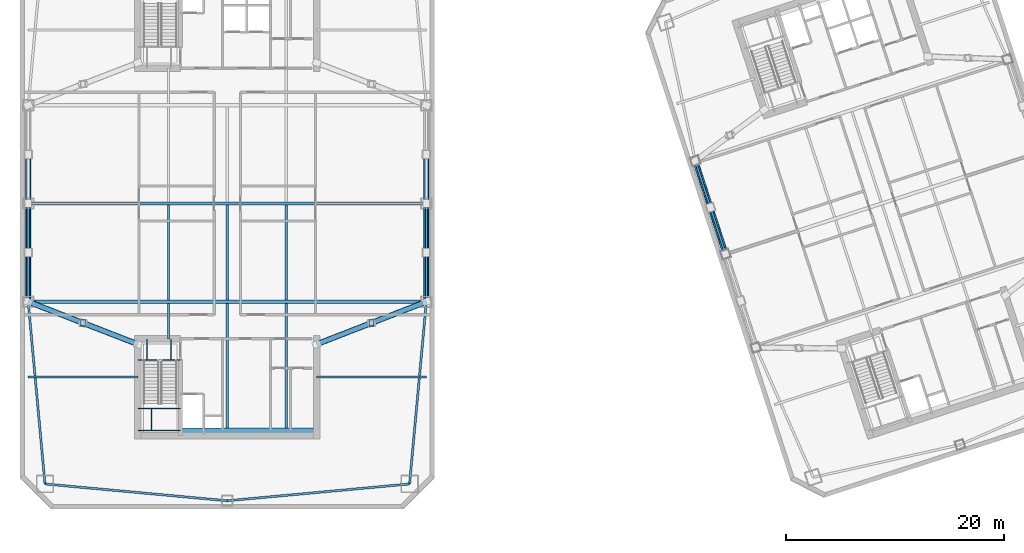
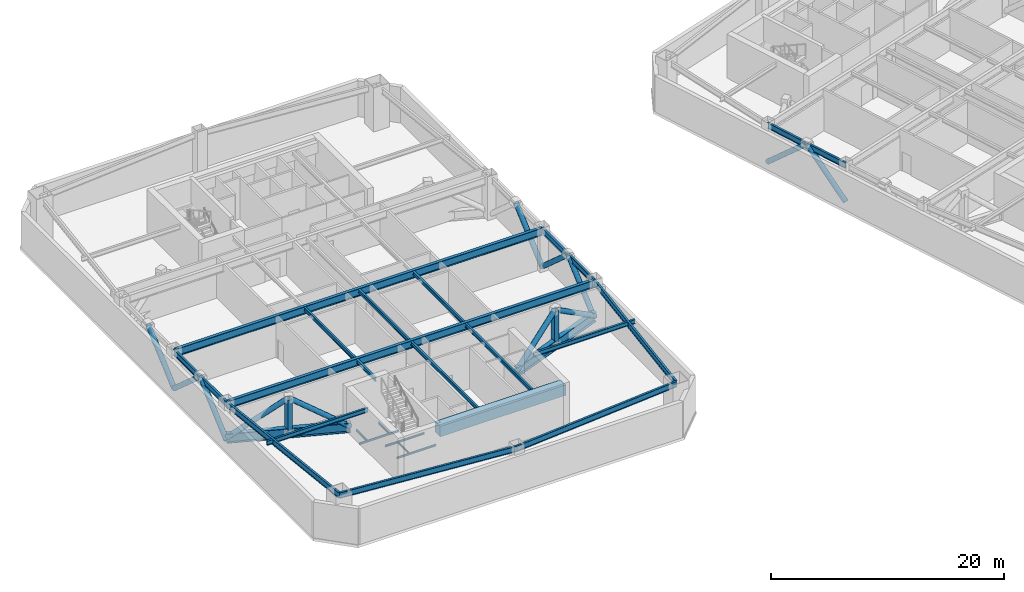
# One storey, part 3 of 14: 26 beams, 14 members.
"""IFC4 building model written with IfcOpenShell, lengths in metres."""

from ifc_helpers import new_model, si_unit, direction, frame, origin, origin_2d, place, context, subcontext, project, spatial, rectangle, hollow_rectangle, hollow_circle, i_section, extrude, material, material_profile, profile_set, type_object, element, save


model = new_model("IFC4")

# Units and contexts
model_context = context("Model", 3, precision=1e-05, world=origin(), true_north=direction((0.0, 1.0)))
body_context = subcontext(model_context, "Body", "Model", "MODEL_VIEW")
ifc_project = project(units=[si_unit("LENGTHUNIT", "METRE"), si_unit("AREAUNIT", "SQUARE_METRE"), si_unit("VOLUMEUNIT", "CUBIC_METRE"), si_unit("PLANEANGLEUNIT", "RADIAN"), si_unit("MASSUNIT", "GRAM", prefix="KILO")], contexts=[model_context])

# Site, building, storey
site_placement = place(None, origin())
site = spatial("IfcSite", under=ifc_project, at=site_placement, CompositionType="ELEMENT")
building_placement = place(site_placement, origin())
building = spatial("IfcBuilding", under=site, at=building_placement, Name="Qiaolan Cultural Towers", CompositionType="ELEMENT")
storey_placement = place(building_placement, frame((0.0, 0.0, 138.0)))
storey = spatial("IfcBuildingStorey", under=building, at=storey_placement, Name="L36", CompositionType="ELEMENT", Elevation=138.0)

# Beams
ifc_material_1 = material(Name="Steel Q390GJB", Category="steel")
ifc_material_profile_1 = material_profile(ifc_material_1, i_section(OverallWidth=0.449951171875, OverallDepth=1.0, WebThickness=0.02392578125, FlangeThickness=0.0400390625, at=origin_2d()), Name="BH1000x450x24x40")
ifc_profile_set_1 = profile_set([ifc_material_profile_1], Name="Steel Q390GJB")
beam_type_1 = type_object("IfcBeamType", Name="BM-BH1000x450x24x40", PredefinedType="BEAM", material=ifc_profile_set_1)
for number, where, z_axis, x_axis, name in (
    (1, (21.800048828125, 21.10009765625, 0.5), (-0.932269206067, 0.361765293276, 0.0), (-0.361765293276, -0.932269206067, 0.0), "L36 T1 Outrigger Bottom Chord Girder WS"),
    (2, (38.199951171875, 21.10009765625, 0.5), (0.932269206067, 0.361765293276, 0.0), (-0.361765293276, 0.932269206067, 0.0), "L36 T1 Outrigger Bottom Chord Girder ES"),
):
    element("IfcBeam", number, at=place(storey_placement, frame(where, z_axis=z_axis, x_axis=x_axis)), inside=storey, type_object=beam_type_1, Name=name, PredefinedType="BEAM", context=body_context, shape_type="SweptSolid", body=[
        extrude(i_section(OverallWidth=0.449951171875, OverallDepth=1.0, WebThickness=0.02392578125, FlangeThickness=0.0400390625, at=origin_2d()), origin(), (0.0, 0.0, 1.0), 10.7802734375),
    ])
ifc_material_2 = material(Name="Steel Q355B", Category="steel")
ifc_material_profile_2 = material_profile(ifc_material_2, i_section(OverallWidth=0.300048828125, OverallDepth=0.800048828125, WebThickness=0.013916015625, FlangeThickness=0.02587890625, at=origin_2d()), Name="HN800x300x14x26")
ifc_profile_set_2 = profile_set([ifc_material_profile_2], Name="Steel Q355B")
beam_type_2 = type_object("IfcBeamType", Name="BM-HN800x300x14x26", PredefinedType="BEAM", material=ifc_profile_set_2)
for number, where, z_axis, x_axis, name in (
    (3, (11.75, 25.0, 3.93994140625), (1.0, 0.0, 0.0), (0.0, 1.0, 0.0), "L36 T1 Primary Transverse Girder V1"),
    (4, (11.75, 34.0, 3.93994140625), (1.0, 0.0, 0.0), (0.0, 1.0, 0.0), "L36 T1 Primary Transverse Girder V2"),
):
    element("IfcBeam", number, at=place(storey_placement, frame(where, z_axis=z_axis, x_axis=x_axis)), inside=storey, type_object=beam_type_2, Name=name, PredefinedType="BEAM", context=body_context, shape_type="SweptSolid", body=[
        extrude(i_section(OverallWidth=0.300048828125, OverallDepth=0.800048828125, WebThickness=0.013916015625, FlangeThickness=0.02587890625, at=origin_2d()), origin(), (0.0, 0.0, 1.0), 36.5),
    ])
ifc_material_3 = material(Name="Steel Q355B", Category="steel")
ifc_material_profile_3 = material_profile(ifc_material_3, i_section(OverallWidth=0.199951171875, OverallDepth=0.39990234375, WebThickness=0.008056640625, FlangeThickness=0.012939453125, at=origin_2d()), Name="HN400x200x8x13")
ifc_profile_set_3 = profile_set([ifc_material_profile_3], Name="Steel Q355B")
beam_type_3 = type_object("IfcBeamType", Name="BM-JST-HN400x200x8x13", PredefinedType="JOIST", material=ifc_profile_set_3)
beam_1_placement = place(storey_placement, frame((24.60009765625, 21.60009765625, 4.139892578125), z_axis=(0.0, 1.0, 0.0), x_axis=(-1.0, 0.0, 0.0)))
element("IfcBeam", 5, at=beam_1_placement, inside=storey, type_object=beam_type_3, Name="L36 T1 Secondary Floor Joist U1-1", PredefinedType="JOIST", context=body_context, shape_type="SweptSolid", body=[
    extrude(i_section(OverallWidth=0.199951171875, OverallDepth=0.39990234375, WebThickness=0.008056640625, FlangeThickness=0.012939453125, at=origin_2d()), origin(), (0.0, 0.0, 1.0), 3.25),
])
beam_2_placement = place(storey_placement, frame((24.60009765625, 25.14990234375, 4.139892578125), z_axis=(0.0, 1.0, 0.0), x_axis=(-1.0, 0.0, 0.0)))
element("IfcBeam", 6, at=beam_2_placement, inside=storey, type_object=beam_type_3, Name="L36 T1 Secondary Floor Joist U1-2", PredefinedType="JOIST", context=body_context, shape_type="SweptSolid", body=[
    extrude(i_section(OverallWidth=0.199951171875, OverallDepth=0.39990234375, WebThickness=0.008056640625, FlangeThickness=0.012939453125, at=origin_2d()), origin(), (0.0, 0.0, 1.0), 8.7001953125),
])
beam_3_placement = place(storey_placement, frame((30.0, 13.39990234375, 4.139892578125), z_axis=(0.0, 1.0, 0.0), x_axis=(-1.0, 0.0, 0.0)))
element("IfcBeam", 7, at=beam_3_placement, inside=storey, type_object=beam_type_3, Name="L36 T1 Secondary Floor Joist U2-1", PredefinedType="JOIST", context=body_context, shape_type="SweptSolid", body=[
    extrude(i_section(OverallWidth=0.199951171875, OverallDepth=0.39990234375, WebThickness=0.008056640625, FlangeThickness=0.012939453125, at=origin_2d()), origin(), (0.0, 0.0, 1.0), 11.4501953125),
])
beam_4_placement = place(storey_placement, frame((30.0, 25.14990234375, 4.139892578125), z_axis=(0.0, 1.0, 0.0), x_axis=(-1.0, 0.0, 0.0)))
element("IfcBeam", 8, at=beam_4_placement, inside=storey, type_object=beam_type_3, Name="L36 T1 Secondary Floor Joist U2-2", PredefinedType="JOIST", context=body_context, shape_type="SweptSolid", body=[
    extrude(i_section(OverallWidth=0.199951171875, OverallDepth=0.39990234375, WebThickness=0.008056640625, FlangeThickness=0.012939453125, at=origin_2d()), origin(), (0.0, 0.0, 1.0), 8.7001953125),
])
beam_5_placement = place(storey_placement, frame((35.39990234375, 13.39990234375, 4.139892578125), z_axis=(0.0, 1.0, 0.0), x_axis=(-1.0, 0.0, 0.0)))
element("IfcBeam", 9, at=beam_5_placement, inside=storey, type_object=beam_type_3, Name="L36 T1 Secondary Floor Joist U3-1", PredefinedType="JOIST", context=body_context, shape_type="SweptSolid", body=[
    extrude(i_section(OverallWidth=0.199951171875, OverallDepth=0.39990234375, WebThickness=0.008056640625, FlangeThickness=0.012939453125, at=origin_2d()), origin(), (0.0, 0.0, 1.0), 11.4501953125),
])
beam_6_placement = place(storey_placement, frame((35.39990234375, 25.14990234375, 4.139892578125), z_axis=(0.0, 1.0, 0.0), x_axis=(-1.0, 0.0, 0.0)))
element("IfcBeam", 10, at=beam_6_placement, inside=storey, type_object=beam_type_3, Name="L36 T1 Secondary Floor Joist U3-2", PredefinedType="JOIST", context=body_context, shape_type="SweptSolid", body=[
    extrude(i_section(OverallWidth=0.199951171875, OverallDepth=0.39990234375, WebThickness=0.008056640625, FlangeThickness=0.012939453125, at=origin_2d()), origin(), (0.0, 0.0, 1.0), 8.7001953125),
])
ifc_material_4 = material(Name="Steel Q355B", Category="steel")
ifc_material_profile_4 = material_profile(ifc_material_4, i_section(OverallWidth=0.199951171875, OverallDepth=0.449951171875, WebThickness=0.009033203125, FlangeThickness=0.013916015625, at=origin_2d()), Name="HN450x200x9x14")
ifc_profile_set_4 = profile_set([ifc_material_profile_4], Name="Steel Q355B")
beam_type_4 = type_object("IfcBeamType", Name="BM-LNT-HN450x200x9x14", PredefinedType="LINTEL", material=ifc_profile_set_4)
for number, where, z_axis, x_axis, name in (
    (11, (21.800048828125, 18.10009765625, 4.114990234375), (-1.0, 0.0, 0.0), (0.0, -1.0, 0.0), "L36 T1 Core Flank Tie Lintel WS"),
    (12, (38.199951171875, 18.10009765625, 4.114990234375), (1.0, 0.0, 0.0), (0.0, 1.0, 0.0), "L36 T1 Core Flank Tie Lintel ES"),
):
    element("IfcBeam", number, at=place(storey_placement, frame(where, z_axis=z_axis, x_axis=x_axis)), inside=storey, type_object=beam_type_4, Name=name, PredefinedType="LINTEL", context=body_context, shape_type="SweptSolid", body=[
        extrude(i_section(OverallWidth=0.199951171875, OverallDepth=0.449951171875, WebThickness=0.009033203125, FlangeThickness=0.013916015625, at=origin_2d()), origin(), (0.0, 0.0, 1.0), 10.050048828125),
    ])
ifc_material_5 = material(Name="Concrete C50", Category="concrete")
ifc_material_profile_5 = material_profile(ifc_material_5, rectangle(XDim=0.89990234375, YDim=1.10009765625, at=origin_2d()), Name="RC900x1100")
ifc_profile_set_5 = profile_set([ifc_material_profile_5], Name="Concrete C50")
beam_type_5 = type_object("IfcBeamType", Name="BM-RC900x1100", PredefinedType="BEAM", material=ifc_profile_set_5)
beam_7_placement = place(storey_placement, frame((25.719970703125, 12.949951171875, 3.7900390625), z_axis=(1.0, 0.0, 0.0), x_axis=(0.0, 1.0, 0.0)))
element("IfcBeam", 13, at=beam_7_placement, inside=storey, type_object=beam_type_5, Name="L36 T1 Core Header Girder S", PredefinedType="BEAM", context=body_context, shape_type="SweptSolid", body=[
    extrude(rectangle(XDim=0.89990234375, YDim=1.10009765625, at=origin_2d()), origin(), (0.0, 0.0, 1.0), 12.47998046875),
])
ifc_material_6 = material(Name="Steel Q355B", Category="steel")
ifc_material_profile_6 = material_profile(ifc_material_6, i_section(OverallWidth=0.199951171875, OverallDepth=0.60009765625, WebThickness=0.010986328125, FlangeThickness=0.01708984375, at=origin_2d()), Name="HN600x200x11x17")
ifc_profile_set_6 = profile_set([ifc_material_profile_6], Name="Steel Q355B")
beam_type_6 = type_object("IfcBeamType", Name="BM-SPD-HN600x200x11x17", PredefinedType="SPANDREL", material=ifc_profile_set_6)
for number, where, z_axis, x_axis, name in (
    (14, (13.2900390625, 8.2900390625, 4.0400390625), (0.995779862064, -0.09177399582, 0.0), (0.09177399582, 0.995779862064, 0.0), "L36 T1 Perimeter Spandrel Beam 1"),
    (15, (30.0, 6.75, 4.0400390625), (0.995779862064, 0.09177399582, 0.0), (-0.09177399582, 0.995779862064, 0.0), "L36 T1 Perimeter Spandrel Beam 2"),
    (16, (46.7099609375, 8.2900390625, 4.0400390625), (0.09177399582, 0.995779862064, 0.0), (-0.995779862064, 0.09177399582, 0.0), "L36 T1 Perimeter Spandrel Beam 3"),
):
    element("IfcBeam", number, at=place(storey_placement, frame(where, z_axis=z_axis, x_axis=x_axis)), inside=storey, type_object=beam_type_6, Name=name, PredefinedType="SPANDREL", context=body_context, shape_type="SweptSolid", body=[
        extrude(i_section(OverallWidth=0.199951171875, OverallDepth=0.60009765625, WebThickness=0.010986328125, FlangeThickness=0.01708984375, at=origin_2d()), origin(), (0.0, 0.0, 1.0), 16.78076171875),
    ])
for number, where, z_axis, x_axis, name in (
    (17, (48.25, 25.0, 4.0400390625), (0.0, 1.0, 0.0), (-1.0, 0.0, 0.0), "L36 T1 Perimeter Spandrel Beam 4"),
    (18, (11.75, 34.0, 4.0400390625), (0.0, -1.0, 0.0), (1.0, 0.0, 0.0), "L36 T1 Perimeter Spandrel Beam 11"),
):
    element("IfcBeam", number, at=place(storey_placement, frame(where, z_axis=z_axis, x_axis=x_axis)), inside=storey, type_object=beam_type_6, Name=name, PredefinedType="SPANDREL", context=body_context, shape_type="SweptSolid", body=[
        extrude(i_section(OverallWidth=0.199951171875, OverallDepth=0.60009765625, WebThickness=0.010986328125, FlangeThickness=0.01708984375, at=origin_2d()), origin(), (0.0, 0.0, 1.0), 9.0),
    ])
beam_8_placement = place(storey_placement, frame((11.75, 25.0, 4.0400390625), z_axis=(0.09177399582, -0.995779862064, 0.0), x_axis=(0.995779862064, 0.09177399582, 0.0)))
element("IfcBeam", 19, at=beam_8_placement, inside=storey, type_object=beam_type_6, Name="L36 T1 Perimeter Spandrel Beam 12", PredefinedType="SPANDREL", context=body_context, shape_type="SweptSolid", body=[
    extrude(i_section(OverallWidth=0.199951171875, OverallDepth=0.60009765625, WebThickness=0.010986328125, FlangeThickness=0.01708984375, at=origin_2d()), origin(), (0.0, 0.0, 1.0), 16.78076171875),
])
beam_9_placement = place(storey_placement, frame((72.905517578125, 37.90869140625, 4.0400390625), z_axis=(0.309008170129, -0.951059383421, 0.0), x_axis=(0.951059383421, 0.309008170129, 0.0)))
element("IfcBeam", 20, at=beam_9_placement, inside=storey, type_object=beam_type_6, Name="L36 T2 Perimeter Spandrel Beam 10", PredefinedType="SPANDREL", context=body_context, shape_type="SweptSolid", body=[
    extrude(i_section(OverallWidth=0.199951171875, OverallDepth=0.60009765625, WebThickness=0.010986328125, FlangeThickness=0.01708984375, at=origin_2d()), origin(), (0.0, 0.0, 1.0), 8.999755859375),
])
ifc_material_7 = material(Name="Steel Q355B", Category="steel")
ifc_material_profile_7 = material_profile(ifc_material_7, i_section(OverallWidth=0.10009765625, OverallDepth=0.199951171875, WebThickness=0.005615234375, FlangeThickness=0.008056640625, at=origin_2d()), Name="HN200x100x5.5x8")
ifc_profile_set_7 = profile_set([ifc_material_profile_7], Name="Steel Q355B")
beam_type_7 = type_object("IfcBeamType", Name="BM-STTRIM-200", PredefinedType="BEAM", material=ifc_profile_set_7)
beam_10_placement = place(storey_placement, frame((21.800048828125, 19.659912109375, -0.4599609375), z_axis=(1.0, 0.0, 0.0), x_axis=(0.0, 1.0, 0.0)))
element("IfcBeam", 21, at=beam_10_placement, inside=storey, type_object=beam_type_7, Name="L36 ST-W1 Floor Landing Header Beam", PredefinedType="BEAM", context=body_context, shape_type="SweptSolid", body=[
    extrude(i_section(OverallWidth=0.10009765625, OverallDepth=0.199951171875, WebThickness=0.005615234375, FlangeThickness=0.008056640625, at=origin_2d()), origin(), (0.0, 0.0, 1.0), 3.919921875),
])
for number, where, z_axis, x_axis, name in (
    (22, (22.64990234375, 21.60009765625, -0.4599609375), (0.0, -1.0, 0.0), (1.0, 0.0, 0.0), "L36 ST-W1 Floor Landing Stringer 1"),
    (23, (24.85009765625, 21.60009765625, -0.4599609375), (0.0, -1.0, 0.0), (1.0, 0.0, 0.0), "L36 ST-W1 Floor Landing Stringer 2"),
):
    element("IfcBeam", number, at=place(storey_placement, frame(where, z_axis=z_axis, x_axis=x_axis)), inside=storey, type_object=beam_type_7, Name=name, PredefinedType="BEAM", context=body_context, shape_type="SweptSolid", body=[
        extrude(i_section(OverallWidth=0.10009765625, OverallDepth=0.199951171875, WebThickness=0.005615234375, FlangeThickness=0.008056640625, at=origin_2d()), origin(), (0.0, 0.0, 1.0), 1.940185546875),
    ])
for number, where, z_axis, x_axis, name in (
    (24, (21.800048828125, 15.211181640625, 2.0), (1.0, 0.0, 0.0), (0.0, 1.0, 0.0), "L36 ST-W1 Stair Landing Support Beam 1-1"),
    (25, (21.800048828125, 13.179931640625, 2.0), (1.0, 0.0, 0.0), (0.0, 1.0, 0.0), "L36 ST-W1 Stair Landing Support Beam 1-2"),
):
    element("IfcBeam", number, at=place(storey_placement, frame(where, z_axis=z_axis, x_axis=x_axis)), inside=storey, type_object=beam_type_7, Name=name, PredefinedType="BEAM", context=body_context, shape_type="SweptSolid", body=[
        extrude(i_section(OverallWidth=0.10009765625, OverallDepth=0.199951171875, WebThickness=0.005615234375, FlangeThickness=0.008056640625, at=origin_2d()), origin(), (0.0, 0.0, 1.0), 3.919921875),
    ])
beam_11_placement = place(storey_placement, frame((23.070068359375, 15.211181640625, 2.0), z_axis=(0.0, -1.0, 0.0), x_axis=(1.0, 0.0, 0.0)))
element("IfcBeam", 26, at=beam_11_placement, inside=storey, type_object=beam_type_7, Name="L36 ST-W1 Stair Landing Trimmer 1", PredefinedType="BEAM", context=body_context, shape_type="SweptSolid", body=[
    extrude(i_section(OverallWidth=0.10009765625, OverallDepth=0.199951171875, WebThickness=0.005615234375, FlangeThickness=0.008056640625, at=origin_2d()), origin(), (0.0, 0.0, 1.0), 2.03125),
])

# Members
ifc_material_8 = material(Name="Steel Q355B", Category="steel")
ifc_material_profile_8 = material_profile(ifc_material_8, hollow_circle(Radius=0.25, WallThickness=0.02490234375, at=origin_2d()), Name="CHS500x25")
ifc_profile_set_8 = profile_set([ifc_material_profile_8], Name="Steel Q355B")
member_type_1 = type_object("IfcMemberType", Name="MBR-BRC-CHS500x25", PredefinedType="BRACE", material=ifc_profile_set_8)
for number, where, z_axis, x_axis, name in (
    (27, (21.800048828125, 21.10009765625, 0.5), (-0.776587079401, 0.30134581952, 0.553265944339), (-0.361757655394, -0.932272169897, 0.0), "L36 T1 Outrigger Truss Diagonal WS-1"),
    (28, (16.77490234375, 23.050048828125, 4.080078125), (-0.776572103417, 0.301354649208, -0.5532821555), (-0.361772931457, -0.932266242049, 0.0), "L36 T1 Outrigger Truss Diagonal WS-2"),
    (29, (38.199951171875, 21.10009765625, 0.5), (0.776587079401, 0.30134581952, 0.553265944339), (-0.361757655394, 0.932272169897, 0.0), "L36 T1 Outrigger Truss Diagonal ES-1"),
    (30, (43.22509765625, 23.050048828125, 4.080078125), (0.776572103417, 0.301354649208, -0.5532821555), (-0.361772931457, 0.932266242049, 0.0), "L36 T1 Outrigger Truss Diagonal ES-2"),
):
    element("IfcMember", number, at=place(storey_placement, frame(where, z_axis=z_axis, x_axis=x_axis)), inside=storey, type_object=member_type_1, Name=name, PredefinedType="BRACE", context=body_context, shape_type="SweptSolid", body=[
        extrude(hollow_circle(Radius=0.25, WallThickness=0.02490234375, at=origin_2d()), origin(), (0.0, 0.0, 1.0), 6.470703125),
    ])
for number, where, z_axis, x_axis, name in (
    (31, (11.75, 25.0, 0.199951171875), (0.0, 0.749061716489, 0.662500222559), (-1.0, 0.0, 0.0), "L36 T1 Perimeter Belt Truss W1-A"),
    (32, (11.75, 29.5, 4.179931640625), (0.0, 0.749061716489, -0.662500222559), (-1.0, 0.0, 0.0), "L36 T1 Perimeter Belt Truss W1-B"),
    (33, (11.75, 34.0, 0.199951171875), (0.0, 0.749061716489, 0.662500222559), (-1.0, 0.0, 0.0), "L36 T1 Perimeter Belt Truss W2-A"),
    (34, (48.25, 25.0, 0.199951171875), (0.0, 0.749061716489, 0.662500222559), (-1.0, 0.0, 0.0), "L36 T1 Perimeter Belt Truss E1-A"),
    (35, (48.25, 29.5, 4.179931640625), (0.0, 0.749061716489, -0.662500222559), (-1.0, 0.0, 0.0), "L36 T1 Perimeter Belt Truss E1-B"),
    (36, (48.25, 34.0, 0.199951171875), (0.0, 0.749061716489, 0.662500222559), (-1.0, 0.0, 0.0), "L36 T1 Perimeter Belt Truss E2-A"),
    (37, (75.6865234375, 29.349365234375, 0.199951171875), (-0.23144113653, 0.71240792333, 0.662502793276), (-0.951069945308, -0.308975661068, 0.0), "L36 T2 Perimeter Belt Truss W2-A"),
):
    element("IfcMember", number, at=place(storey_placement, frame(where, z_axis=z_axis, x_axis=x_axis)), inside=storey, type_object=member_type_1, Name=name, PredefinedType="BRACE", context=body_context, shape_type="SweptSolid", body=[
        extrude(hollow_circle(Radius=0.25, WallThickness=0.02490234375, at=origin_2d()), origin(), (0.0, 0.0, 1.0), 6.007568359375),
    ])
member_placement = place(storey_placement, frame((74.296142578125, 33.629150390625, 4.179931640625), z_axis=(-0.231486300221, 0.712381207265, -0.662515741961), x_axis=(-0.951048820056, -0.309040679961, 0.0)))
element("IfcMember", 38, at=member_placement, inside=storey, type_object=member_type_1, Name="L36 T2 Perimeter Belt Truss W2-B", PredefinedType="BRACE", context=body_context, shape_type="SweptSolid", body=[
    extrude(hollow_circle(Radius=0.25, WallThickness=0.02490234375, at=origin_2d()), origin(), (0.0, 0.0, 1.0), 6.00732421875),
])
ifc_material_9 = material(Name="Steel Q355B", Category="steel")
ifc_material_profile_9 = material_profile(ifc_material_9, hollow_rectangle(XDim=0.449951171875, YDim=0.60009765625, WallThickness=0.02197265625, at=origin_2d()), Name="BOX600x450x22")
ifc_profile_set_9 = profile_set([ifc_material_profile_9], Name="Steel Q355B")
member_type_2 = type_object("IfcMemberType", Name="MBR-POST-BOX600x450x22", PredefinedType="STUD", material=ifc_profile_set_9)
for number, where, z_axis, x_axis, name in (
    (39, (16.77490234375, 23.050048828125, 0.5), (0.0, 0.0, 1.0), (1.0, 0.0, 0.0), "L36 T1 Outrigger King Web WS"),
    (40, (43.22509765625, 23.050048828125, 0.5), (0.0, 0.0, 1.0), (1.0, 0.0, 0.0), "L36 T1 Outrigger King Web ES"),
):
    element("IfcMember", number, at=place(storey_placement, frame(where, z_axis=z_axis, x_axis=x_axis)), inside=storey, type_object=member_type_2, Name=name, PredefinedType="STUD", context=body_context, shape_type="SweptSolid", body=[
        extrude(hollow_rectangle(XDim=0.449951171875, YDim=0.60009765625, WallThickness=0.02197265625, at=origin_2d()), origin(), (0.0, 0.0, 1.0), 3.580078125),
    ])

save(model, "model.ifc")
